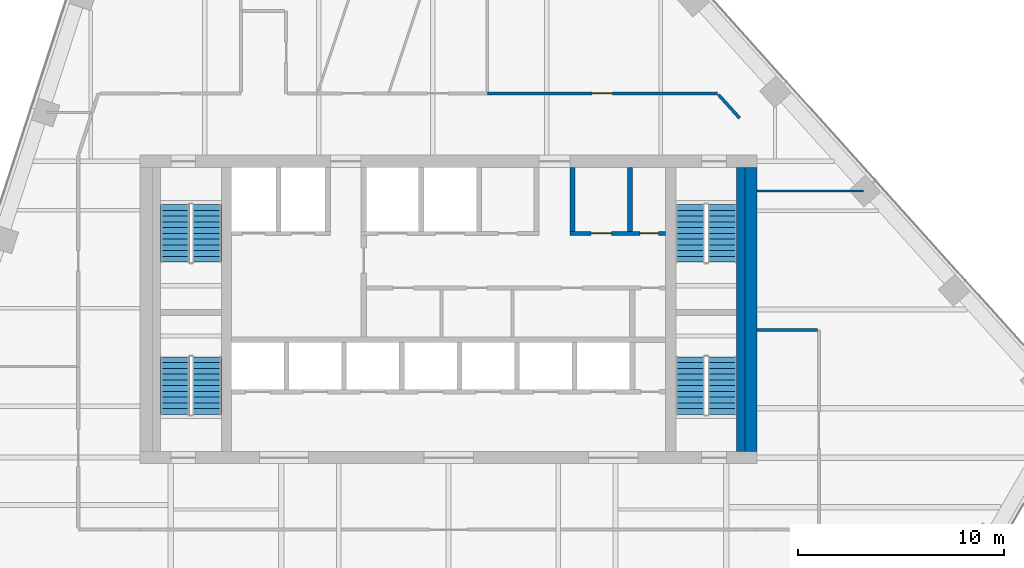
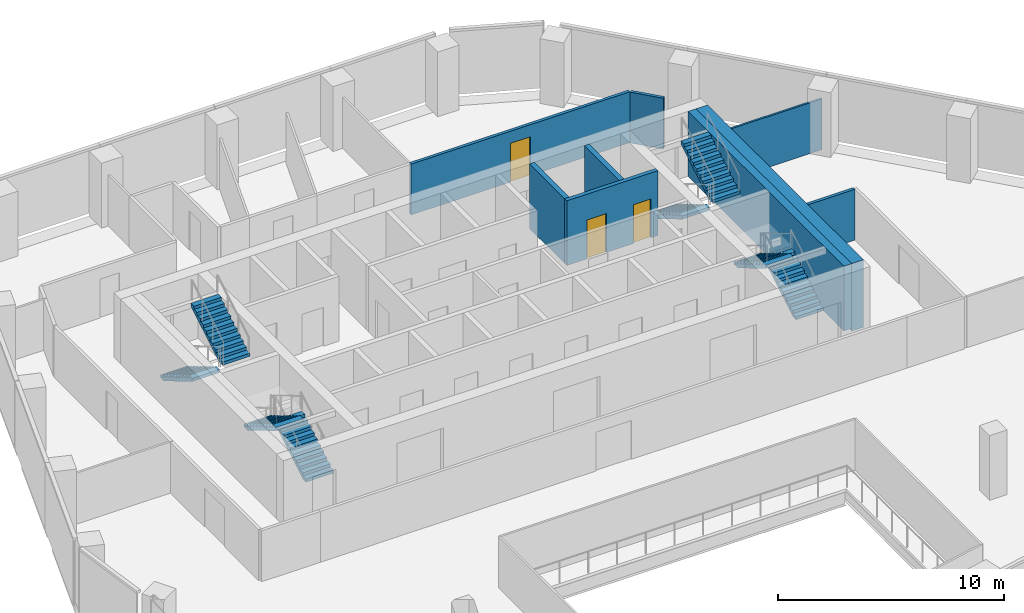
# One storey, part 11 of 15: 9 walls, 8 stair flights, 3 doors, 3 openings, 4 elements without a shape of their own.
"""IFC4 building model written with IfcOpenShell, lengths in metres."""

import ifcopenshell
import ifcopenshell.guid

model = None  # the IFC model being written
_history = None  # IfcOwnerHistory: only IFC2X3 demands one
_inside = {}  # id of a spatial element -> (the spatial element, [elements in it])
_under = {}  # id of a project, library or spatial element -> (it, [spatial elements below it])
_declared = {}  # id of a project -> (the project, [libraries it declares])
_typed = {}  # id of a type object -> (the type object, [elements of that type])
_made_of = {}  # id of a material, layer set ... -> (it, [elements and type objects made of it])


def new_model(schema):
    """Start an empty IFC model of exactly this schema.

    Asked for "IFC4X3", IfcOpenShell would pick the latest addendum, in which some entities
    have other attributes; the version numbers below select the first issue.
    IFC2X3 requires an IfcOwnerHistory on every rooted entity: one is made here for all.
    """
    global model, _history
    if schema == "IFC4X3":
        model = ifcopenshell.file(schema_version=(4, 3, 0, 0))
    else:
        model = ifcopenshell.file(schema=schema)
    _inside.clear()
    _under.clear()
    _declared.clear()
    _typed.clear()
    _made_of.clear()
    _history = None
    if model.schema == "IFC2X3":
        org = make("IfcOrganization", Name="unknown")
        user = make(
            "IfcPersonAndOrganization",
            ThePerson=make("IfcPerson", FamilyName="unknown"),
            TheOrganization=org,
        )
        app = make(
            "IfcApplication",
            ApplicationDeveloper=org,
            Version="unknown",
            ApplicationFullName="unknown",
            ApplicationIdentifier="unknown",
        )
        _history = make(
            "IfcOwnerHistory",
            OwningUser=user,
            OwningApplication=app,
            ChangeAction="ADDED",
            CreationDate=0,
        )
    return model


def make(cls, **values):
    """One entity of the class cls with the attributes given. An attribute that is None is left unset."""
    return model.create_entity(
        cls, **{name: value for name, value in values.items() if value is not None}
    )


def rooted(cls, **values):
    """An entity with a GlobalId (a new one), such as an element, a storey or a relation."""
    return make(cls, GlobalId=ifcopenshell.guid.new(), OwnerHistory=_history, **values)


def si_unit(unit_type, name, prefix=None):
    """IfcSIUnit, for example si_unit("LENGTHUNIT", "METRE", prefix="MILLI")."""
    return make("IfcSIUnit", UnitType=unit_type, Prefix=prefix, Name=name)


def assignment(units):
    """IfcUnitAssignment: the units of a project."""
    return None if units is None else make("IfcUnitAssignment", Units=units)


def point(xyz):
    """IfcCartesianPoint."""
    return None if xyz is None else make("IfcCartesianPoint", Coordinates=xyz)


def direction(xyz):
    """IfcDirection."""
    return None if xyz is None else make("IfcDirection", DirectionRatios=xyz)


def frame(location, z_axis=None, x_axis=None):
    """IfcAxis2Placement3D, a coordinate frame: its origin and axes. An axis left out is left unset."""
    return make(
        "IfcAxis2Placement3D",
        Location=point(location),
        Axis=direction(z_axis),
        RefDirection=direction(x_axis),
    )


def frame_2d(location, x_axis=None):
    """IfcAxis2Placement2D, a coordinate frame in the plane: its origin and x axis."""
    return make(
        "IfcAxis2Placement2D", Location=point(location), RefDirection=direction(x_axis)
    )


def origin():
    """The frame at (0, 0, 0) with its axes left unset."""
    return frame((0.0, 0.0, 0.0))


def place(relative_to, where):
    """IfcLocalPlacement: puts the frame where relative to a parent placement (None: the world)."""
    return make(
        "IfcLocalPlacement", PlacementRelTo=relative_to, RelativePlacement=where
    )


def context(
    kind, dimensions, precision=None, world=None, true_north=None, identifier=None
):
    """IfcGeometricRepresentationContext, for example the 3D "Model" context."""
    return make(
        "IfcGeometricRepresentationContext",
        ContextIdentifier=identifier,
        ContextType=kind,
        CoordinateSpaceDimension=dimensions,
        Precision=precision,
        WorldCoordinateSystem=world,
        TrueNorth=true_north,
    )


def subcontext(parent, identifier, kind, view, scale=None):
    """IfcGeometricRepresentationSubContext, for example "Body" below "Model"."""
    return make(
        "IfcGeometricRepresentationSubContext",
        ContextIdentifier=identifier,
        ContextType=kind,
        ParentContext=parent,
        TargetScale=scale,
        TargetView=view,
    )


def project(units=None, contexts=None):
    """IfcProject with its units and contexts."""
    return rooted(
        "IfcProject",
        Name="project",
        RepresentationContexts=contexts,
        UnitsInContext=assignment(units),
    )


def spatial(cls, under=None, at=None, **own):
    """A site, building, storey or space (cls), placed at a placement, below another one or the project."""
    s = rooted(cls, ObjectPlacement=at, **own)
    if under is not None:
        _under.setdefault(under.id(), (under, []))[1].append(s)
    return s


def polyline(points):
    """IfcPolyline through the points."""
    return make("IfcPolyline", Points=[point(p) for p in points])


def profile(cls, at=None, kind="AREA", **sizes):
    """A parametric profile (cls). Its sizes go by their IFC names, for example OverallWidth=200.0."""
    return make(cls, ProfileType=kind, Position=at, **sizes)


def rectangle(**sizes):
    """IfcRectangleProfileDef."""
    return profile("IfcRectangleProfileDef", **sizes)


def outline(outer, holes=None, kind="AREA"):
    """IfcArbitraryClosedProfileDef: a profile drawn as a closed curve; with holes, ...WithVoids."""
    if holes is None:
        return make("IfcArbitraryClosedProfileDef", ProfileType=kind, OuterCurve=outer)
    return make(
        "IfcArbitraryProfileDefWithVoids",
        ProfileType=kind,
        OuterCurve=outer,
        InnerCurves=holes,
    )


def extrude(swept, where, along, depth):
    """IfcExtrudedAreaSolid: the profile swept, set in the frame where, extruded along a direction by depth."""
    return make(
        "IfcExtrudedAreaSolid",
        SweptArea=swept,
        Position=where,
        ExtrudedDirection=direction(along),
        Depth=depth,
    )


def shape(context_of_items, identifier, shape_type, items):
    """IfcShapeRepresentation: the items that make up one representation, for example the "Body"."""
    return make(
        "IfcShapeRepresentation",
        ContextOfItems=context_of_items,
        RepresentationIdentifier=identifier,
        RepresentationType=shape_type,
        Items=items,
    )


def material(Name=None, Category=None):
    """IfcMaterial."""
    return make("IfcMaterial", Name=Name, Category=Category)


def layer(
    of_material, thickness, ventilated=None, Name=None, Category=None, Priority=None
):
    """IfcMaterialLayer: one layer of a wall or slab, of a material (None: an air gap)."""
    return make(
        "IfcMaterialLayer",
        Material=of_material,
        LayerThickness=thickness,
        IsVentilated=ventilated,
        Name=Name,
        Category=Category,
        Priority=Priority,
    )


def layer_set(layers, Name=None):
    """IfcMaterialLayerSet."""
    return make("IfcMaterialLayerSet", MaterialLayers=layers, LayerSetName=Name)


def made_of(thing, what):
    """Note that an element or type object is made of a material, layer set ...; save() writes the relation."""
    if what is not None:
        _made_of.setdefault(what.id(), (what, []))[1].append(thing)
    return thing


def type_object(cls, material=None, **own):
    """A type object (cls), such as IfcWallType, which elements share."""
    return made_of(rooted(cls, **own), material)


def element(
    cls,
    number,
    at=None,
    inside=None,
    cuts=None,
    type_object=None,
    material=None,
    context=None,
    identifier="Body",
    shape_type=None,
    held_by="IfcProductDefinitionShape",
    body=None,
    shapes=None,
    **own,
):
    """One element of the class cls, such as IfcWall. Its Tag is "e" and its number.

    at: its placement. inside: the storey or other place that contains it. cuts: it is an
    opening in that element (IfcRelVoidsElement). A single representation is given by context,
    identifier, shape_type and body (its items); several are given by shapes. held_by: the class
    of the entity that holds the representations. save() writes the other relations.
    """
    e = rooted(cls, Tag="e%d" % number, ObjectPlacement=at, **own)
    if body is not None:
        shapes = [shape(context, identifier, shape_type, body)]
    if shapes is not None:
        e.Representation = make(held_by, Representations=shapes)
    if inside is not None:
        _inside.setdefault(inside.id(), (inside, []))[1].append(e)
    if cuts is not None:
        rooted(
            "IfcRelVoidsElement", RelatingBuildingElement=cuts, RelatedOpeningElement=e
        )
    if type_object is not None:
        _typed.setdefault(type_object.id(), (type_object, []))[1].append(e)
    return made_of(e, material)


def fill(opening, filler):
    """IfcRelFillsElement: the door or window that sits in an opening."""
    return rooted(
        "IfcRelFillsElement",
        RelatingOpeningElement=opening,
        RelatedBuildingElement=filler,
    )


def aggregate(whole, parts):
    """IfcRelAggregates: a whole, such as a stair, and the parts it consists of."""
    return rooted("IfcRelAggregates", RelatingObject=whole, RelatedObjects=parts)


def save(model, path):
    """Write the relations noted so far, then the file.

    IfcRelAggregates (storeys below a building ...), IfcRelContainedInSpatialStructure (elements
    in a storey), IfcRelDefinesByType, IfcRelAssociatesMaterial and IfcRelDeclares: one each for
    every whole, place, type object, material and project.
    """
    for whole, parts in _under.values():
        aggregate(whole, parts)
    for where, things in _inside.values():
        rooted(
            "IfcRelContainedInSpatialStructure",
            RelatedElements=things,
            RelatingStructure=where,
        )
    for kind, things in _typed.values():
        rooted("IfcRelDefinesByType", RelatedObjects=things, RelatingType=kind)
    for what, things in _made_of.values():
        rooted("IfcRelAssociatesMaterial", RelatedObjects=things, RelatingMaterial=what)
    for by, libraries in _declared.values():
        rooted("IfcRelDeclares", RelatingContext=by, RelatedDefinitions=libraries)
    model.write(path)


model = new_model("IFC4")

# Units and contexts
model_context = context("Model", 3, precision=1e-05, world=origin(), true_north=direction((0.0, 1.0)))
body_context = subcontext(model_context, "Body", "Model", "MODEL_VIEW")
ifc_project = project(units=[si_unit("LENGTHUNIT", "METRE"), si_unit("AREAUNIT", "SQUARE_METRE"), si_unit("VOLUMEUNIT", "CUBIC_METRE"), si_unit("PLANEANGLEUNIT", "RADIAN"), si_unit("MASSUNIT", "GRAM", prefix="KILO")], contexts=[model_context])

# Site, building, storey
site_placement = place(None, origin())
site = spatial("IfcSite", under=ifc_project, at=site_placement, CompositionType="ELEMENT")
building_placement = place(site_placement, origin())
building = spatial("IfcBuilding", under=site, at=building_placement, Name="Isthmus Gate Tower", CompositionType="ELEMENT")
storey_placement = place(building_placement, frame((0.0, 0.0, 223.60009765625)))
storey = spatial("IfcBuildingStorey", under=building, at=storey_placement, Name="L56", CompositionType="ELEMENT", Elevation=223.60009765625)

# Wall, opening, door
ifc_material_1 = material(Name="Gypsum board on steel studs, fire-rated", Category="steel")
ifc_layer_1 = layer(ifc_material_1, 0.14990234375)
ifc_layer_set_1 = layer_set([ifc_layer_1], Name="CORRIDOR WALL 150 60 MIN")
wall_type_1 = type_object("IfcWallType", Name="CORRIDOR WALL 150 60 MIN", PredefinedType="PARTITIONING", material=ifc_layer_set_1)
wall_1_placement = place(storey_placement, frame((1.881103515625, 18.0, 0.0), z_axis=(0.0, 0.0, 1.0), x_axis=(1.0, 0.0, 0.0)))
wall_1 = element("IfcWall", 1, at=wall_1_placement, inside=storey, type_object=wall_type_1, Name="L56 Corridor Wall 150 60 Min", PredefinedType="PARTITIONING", context=body_context, shape_type="SweptSolid", body=[
    extrude(rectangle(XDim=11.183837890625, YDim=0.14990234375, at=frame_2d((5.591796875, 0.0))), origin(), (0.0, 0.0, 1.0), 2.75048828125),
])
opening_1_placement = place(wall_1_placement, frame((5.092041015625, 0.0, 0.0)))
opening_1 = element("IfcOpeningElement", 2, at=opening_1_placement, cuts=wall_1, Name="Opening DT-T5A-02", PredefinedType="OPENING", context=body_context, shape_type="SweptSolid", body=[
    extrude(rectangle(XDim=1.0, YDim=2.10009765625, at=frame_2d((0.5, 1.050048828125))), frame((0.0, 0.0849609375, 0.0), z_axis=(0.0, -1.0, 0.0), x_axis=(1.0, 0.0, 0.0)), (0.0, 0.0, 1.0), 0.169921875),
])
ifc_material_2 = material(Name="Solid core timber door leaf, fire-rated", Category="wood")
door_type_1 = type_object("IfcDoorType", Name="FIRE DOOR ROOM 1000 X 2100 60 MIN", OperationType="SINGLE_SWING_LEFT", PredefinedType="DOOR", material=ifc_material_2)
door_1_placement = place(opening_1_placement, origin())
door_1 = element("IfcDoor", 3, at=door_1_placement, inside=storey, type_object=door_type_1, Name="L56 room door", OperationType="SINGLE_SWING_RIGHT", OverallHeight=2.10009765625, OverallWidth=1.0, PredefinedType="DOOR", context=body_context, shape_type="SweptSolid", body=[
    extrude(rectangle(XDim=1.0, YDim=2.10009765625, at=frame_2d((0.5, 1.050048828125))), frame((0.0, 0.02490234375, 0.0), z_axis=(0.0, -1.0, 0.0), x_axis=(1.0, 0.0, 0.0)), (0.0, 0.0, 1.0), 0.050048828125),
])
fill(opening_1, door_1)

# Walls
wall_2_placement = place(storey_placement, frame((13.115234375, 17.9443359375, 0.0), z_axis=(0.0, 0.0, 1.0), x_axis=(0.669270047653, -0.74301924828, 0.0)))
element("IfcWall", 4, at=wall_2_placement, inside=storey, type_object=wall_type_1, Name="L56 Corridor Wall 150 60 Min", PredefinedType="PARTITIONING", context=body_context, shape_type="SweptSolid", body=[
    extrude(rectangle(XDim=1.5458984375, YDim=0.14990234375, at=frame_2d((0.77294921875, 0.0))), origin(), (0.0, 0.0, 1.0), 2.75048828125),
])
wall_3_placement = place(storey_placement, frame((15.0, 6.5, 0.0), z_axis=(0.0, 0.0, 1.0), x_axis=(1.0, 0.0, 0.0)))
element("IfcWall", 5, at=wall_3_placement, inside=storey, type_object=wall_type_1, Name="L56 Corridor Wall 150 60 Min", PredefinedType="PARTITIONING", context=body_context, shape_type="SweptSolid", body=[
    extrude(rectangle(XDim=2.925048828125, YDim=0.14990234375, at=frame_2d((1.46240234375, 0.0))), origin(), (0.0, 0.0, 1.0), 2.75048828125),
])
ifc_material_3 = material(Name="Concrete f'c 50 MPa", Category="concrete")
ifc_layer_2 = layer(ifc_material_3, 0.60009765625)
ifc_layer_set_2 = layer_set([ifc_layer_2], Name="RC CORE WALL 600 F'C 50")
wall_type_2 = type_object("IfcWallType", Name="RC CORE WALL 600 F'C 50", PredefinedType="SOLIDWALL", material=ifc_layer_set_2)
wall_4_placement = place(storey_placement, frame((14.699951171875, 0.60009765625, -0.150146484375), z_axis=(0.0, 0.0, 1.0), x_axis=(0.0, 1.0, 0.0)))
element("IfcWall", 6, at=wall_4_placement, inside=storey, type_object=wall_type_2, Name="str-corewall-L56-E", PredefinedType="SOLIDWALL", context=body_context, shape_type="SweptSolid", body=[
    extrude(rectangle(XDim=13.7998046875, YDim=0.60009765625, at=frame_2d((6.89990234375, 0.0))), origin(), (0.0, 0.0, 1.0), 3.650146484375),
])
ifc_material_4 = material(Name="Gypsum board on steel studs, fire-rated", Category="steel")
ifc_layer_3 = layer(ifc_material_4, 0.10009765625)
ifc_layer_set_3 = layer_set([ifc_layer_3], Name="ROOM PARTITION 100 30 MIN")
wall_type_3 = type_object("IfcWallType", Name="ROOM PARTITION 100 30 MIN", PredefinedType="PARTITIONING", material=ifc_layer_set_3)
wall_5_placement = place(storey_placement, frame((15.0, 13.251953125, 0.0), z_axis=(0.0, 0.0, 1.0), x_axis=(1.0, 0.0, 0.0)))
element("IfcWall", 7, at=wall_5_placement, inside=storey, type_object=wall_type_3, Name="L56 Room Partition 100 30 Min", PredefinedType="PARTITIONING", context=body_context, shape_type="SweptSolid", body=[
    extrude(rectangle(XDim=5.166015625, YDim=0.10009765625, at=frame_2d((2.5830078125, 0.0))), origin(), (0.0, 0.0, 1.0), 2.75048828125),
])

# Wall, openings, doors
ifc_material_5 = material(Name="Fire-rated blockwork masonry, 15 MPa", Category="masonry")
ifc_layer_4 = layer(ifc_material_5, 0.199951171875)
ifc_layer_set_4 = layer_set([ifc_layer_4], Name="SHAFT FRONT WALL 200 120 MIN")
wall_type_4 = type_object("IfcWallType", Name="SHAFT FRONT WALL 200 120 MIN", PredefinedType="PARTITIONING", material=ifc_layer_set_4)
wall_6_placement = place(storey_placement, frame((5.89990234375, 11.199951171875, 0.0), z_axis=(0.0, 0.0, 1.0), x_axis=(1.0, 0.0, 0.0)))
wall_6 = element("IfcWall", 8, at=wall_6_placement, inside=storey, type_object=wall_type_4, Name="L56 SHAFT FRONT WALL 200 120 MIN", PredefinedType="PARTITIONING", context=body_context, shape_type="SweptSolid", body=[
    extrude(rectangle(XDim=4.650146484375, YDim=0.199951171875, at=frame_2d((2.3251953125, 0.0))), origin(), (0.0, 0.0, 1.0), 3.5),
])
opening_2_placement = place(wall_6_placement, frame((1.02490234375, 0.0, 0.0)))
opening_2 = element("IfcOpeningElement", 9, at=opening_2_placement, cuts=wall_6, Name="Opening DC-A18-08", PredefinedType="OPENING", context=body_context, shape_type="SweptSolid", body=[
    extrude(rectangle(XDim=1.0, YDim=2.10009765625, at=frame_2d((0.5, 1.050048828125))), frame((0.0, 0.10986328125, 0.0), z_axis=(0.0, -1.0, 0.0), x_axis=(1.0, 0.0, 0.0)), (0.0, 0.0, 1.0), 0.219970703125),
])
opening_3_placement = place(wall_6_placement, frame((3.39990234375, 0.0, 0.0)))
opening_3 = element("IfcOpeningElement", 10, at=opening_3_placement, cuts=wall_6, Name="Opening DC-A18-09", PredefinedType="OPENING", context=body_context, shape_type="SweptSolid", body=[
    extrude(rectangle(XDim=0.89990234375, YDim=2.10009765625, at=frame_2d((0.449951171875, 1.050048828125))), frame((0.0, 0.10986328125, 0.0), z_axis=(0.0, -1.0, 0.0), x_axis=(1.0, 0.0, 0.0)), (0.0, 0.0, 1.0), 0.219970703125),
])
ifc_material_6 = material(Name="Steel door leaf, fire-rated", Category="steel")
door_type_2 = type_object("IfcDoorType", Name="FIRE DOOR 1000 X 2100 60 MIN", OperationType="SINGLE_SWING_LEFT", PredefinedType="DOOR", material=ifc_material_6)
door_2_placement = place(opening_2_placement, origin())
door_2 = element("IfcDoor", 11, at=door_2_placement, inside=storey, type_object=door_type_2, Name="Pantry Door", OperationType="SINGLE_SWING_RIGHT", OverallHeight=2.10009765625, OverallWidth=1.0, PredefinedType="DOOR", context=body_context, shape_type="SweptSolid", body=[
    extrude(rectangle(XDim=1.0, YDim=2.10009765625, at=frame_2d((0.5, 1.050048828125))), frame((0.0, 0.02490234375, 0.0), z_axis=(0.0, -1.0, 0.0), x_axis=(1.0, 0.0, 0.0)), (0.0, 0.0, 1.0), 0.050048828125),
])
fill(opening_2, door_2)
ifc_material_7 = material(Name="Steel door leaf, fire-rated", Category="steel")
door_type_3 = type_object("IfcDoorType", Name="RISER FIRE DOOR 900 X 2100 90 MIN", OperationType="SINGLE_SWING_LEFT", PredefinedType="DOOR", material=ifc_material_7)
door_3_placement = place(opening_3_placement, origin())
door_3 = element("IfcDoor", 12, at=door_3_placement, inside=storey, type_object=door_type_3, Name="Riser Door", OperationType="SINGLE_SWING_LEFT", OverallHeight=2.10009765625, OverallWidth=0.89990234375, PredefinedType="DOOR", context=body_context, shape_type="SweptSolid", body=[
    extrude(rectangle(XDim=0.89990234375, YDim=2.10009765625, at=frame_2d((0.449951171875, 1.050048828125))), frame((0.0, 0.02490234375, 0.0), z_axis=(0.0, -1.0, 0.0), x_axis=(1.0, 0.0, 0.0)), (0.0, 0.0, 1.0), 0.050048828125),
])
fill(opening_3, door_3)

# Walls
ifc_material_8 = material(Name="Fire-rated blockwork masonry, 15 MPa", Category="masonry")
ifc_layer_5 = layer(ifc_material_8, 0.25)
ifc_layer_set_5 = layer_set([ifc_layer_5], Name="SHAFT WALL 250 120 MIN")
wall_type_5 = type_object("IfcWallType", Name="SHAFT WALL 250 120 MIN", PredefinedType="PARTITIONING", material=ifc_layer_set_5)
for number, where, z_axis, x_axis, name in (
    (13, (6.02490234375, 11.300048828125, 0.0), (0.0, 0.0, 1.0), (0.0, 1.0, 0.0), "L56 SHAFT WALL 250 120 MIN"),
    (14, (8.824951171875, 11.300048828125, 0.0), (0.0, 0.0, 1.0), (0.0, 1.0, 0.0), "L56 SHAFT WALL 250 120 MIN"),
):
    element("IfcWall", number, at=place(storey_placement, frame(where, z_axis=z_axis, x_axis=x_axis)), inside=storey, type_object=wall_type_5, Name=name, PredefinedType="PARTITIONING", context=body_context, shape_type="SweptSolid", body=[
        extrude(rectangle(XDim=3.099853515625, YDim=0.25, at=frame_2d((1.5498046875, 0.0))), origin(), (0.0, 0.0, 1.0), 3.5),
    ])
ifc_material_9 = material(Name="Concrete f'c 40 MPa", Category="concrete")
ifc_layer_6 = layer(ifc_material_9, 0.39990234375)
ifc_layer_set_6 = layer_set([ifc_layer_6], Name="STAIR ENCLOSURE WALL 400 180 MIN")
wall_type_6 = type_object("IfcWallType", Name="STAIR ENCLOSURE WALL 400 180 MIN", PredefinedType="SOLIDWALL", material=ifc_layer_set_6)
wall_7_placement = place(storey_placement, frame((14.199951171875, 0.60009765625, 0.0), z_axis=(0.0, 0.0, 1.0), x_axis=(0.0, 1.0, 0.0)))
element("IfcWall", 15, at=wall_7_placement, inside=storey, type_object=wall_type_6, Name="L56 STAIR ENCLOSURE WALL 400 180 MIN", PredefinedType="SOLIDWALL", context=body_context, shape_type="SweptSolid", body=[
    extrude(rectangle(XDim=13.7998046875, YDim=0.39990234375, at=frame_2d((6.89990234375, 0.0))), origin(), (0.0, 0.0, 1.0), 3.5),
])

# Stair, stair flights
ifc_material_10 = material(Name="Concrete f'c 40 MPa", Category="concrete")
stair_type = type_object("IfcStairType", Name="CORE STAIR 22 RISERS", PredefinedType="HALF_TURN_STAIR", material=ifc_material_10)
stair_1_placement = place(storey_placement, origin())
stair_1 = element("IfcStair", 16, at=stair_1_placement, inside=storey, type_object=stair_type, Name="L56 Exit Stair 1", PredefinedType="HALF_TURN_STAIR")
ifc_material_11 = material(Name="Concrete f'c 40 MPa", Category="concrete")
stair_flight_type = type_object("IfcStairFlightType", Name="STAIR FLIGHT RC 1400", PredefinedType="STRAIGHT", material=ifc_material_11)
stair_flight_1_placement = place(storey_placement, frame((-13.300048828125, 12.60009765625, 0.0), z_axis=(0.0, 0.0, 1.0), x_axis=(0.0, -1.0, 0.0)))
stair_flight_1 = element("IfcStairFlight", 17, at=stair_flight_1_placement, type_object=stair_flight_type, Name="ST1 flight 1", NumberOfRisers=11, NumberOfTreads=10, PredefinedType="STRAIGHT", RiserHeight=0.165909091, TreadLength=0.28, context=body_context, shape_type="SweptSolid", body=[
    extrude(outline(polyline([(0.0, 0.0), (0.0, 0.166015625), (0.280029296875, 0.166015625), (0.280029296875, 0.331787109375), (0.56005859375, 0.331787109375), (0.56005859375, 0.497802734375), (0.840087890625, 0.497802734375), (0.840087890625, 0.66357421875), (1.1201171875, 0.66357421875), (1.1201171875, 0.82958984375), (1.39990234375, 0.82958984375), (1.39990234375, 0.995361328125), (1.679931640625, 0.995361328125), (1.679931640625, 1.161376953125), (1.9599609375, 1.161376953125), (1.9599609375, 1.327392578125), (2.239990234375, 1.327392578125), (2.239990234375, 1.4931640625), (2.52001953125, 1.4931640625), (2.52001953125, 1.6591796875), (2.800048828125, 1.6591796875), (2.800048828125, 1.824951171875), (2.800048828125, 1.48486328125), (0.2939453125, 0.0), (0.0, 0.0)])), frame((0.0, 0.699951171875, 0.0), z_axis=(0.0, -1.0, 0.0), x_axis=(1.0, 0.0, 0.0)), (0.0, 0.0, 1.0), 1.39990234375),
])
stair_flight_2_placement = place(storey_placement, frame((-11.75, 9.800048828125, 1.824951171875), z_axis=(0.0, 0.0, 1.0), x_axis=(0.0, 1.0, 0.0)))
stair_flight_2 = element("IfcStairFlight", 18, at=stair_flight_2_placement, type_object=stair_flight_type, Name="ST1 flight 2", NumberOfRisers=11, NumberOfTreads=10, PredefinedType="STRAIGHT", RiserHeight=0.165909091, TreadLength=0.28, context=body_context, shape_type="SweptSolid", body=[
    extrude(outline(polyline([(0.0, 0.0), (0.0, 0.166015625), (0.280029296875, 0.166015625), (0.280029296875, 0.331787109375), (0.56005859375, 0.331787109375), (0.56005859375, 0.497802734375), (0.840087890625, 0.497802734375), (0.840087890625, 0.66357421875), (1.1201171875, 0.66357421875), (1.1201171875, 0.82958984375), (1.39990234375, 0.82958984375), (1.39990234375, 0.995361328125), (1.679931640625, 0.995361328125), (1.679931640625, 1.161376953125), (1.9599609375, 1.161376953125), (1.9599609375, 1.327392578125), (2.239990234375, 1.327392578125), (2.239990234375, 1.4931640625), (2.52001953125, 1.4931640625), (2.52001953125, 1.6591796875), (2.800048828125, 1.6591796875), (2.800048828125, 1.824951171875), (2.800048828125, 1.48486328125), (0.2939453125, 0.0), (0.0, 0.0)])), frame((0.0, 0.699951171875, 0.0), z_axis=(0.0, -1.0, 0.0), x_axis=(1.0, 0.0, 0.0)), (0.0, 0.0, 1.0), 1.39990234375),
])
aggregate(stair_1, [stair_flight_1, stair_flight_2])

stair_2_placement = place(storey_placement, origin())
stair_2 = element("IfcStair", 19, at=stair_2_placement, inside=storey, type_object=stair_type, Name="L56 Exit Stair 2", PredefinedType="HALF_TURN_STAIR")
stair_flight_3_placement = place(storey_placement, frame((11.75, 12.60009765625, 0.0), z_axis=(0.0, 0.0, 1.0), x_axis=(0.0, -1.0, 0.0)))
stair_flight_3 = element("IfcStairFlight", 20, at=stair_flight_3_placement, type_object=stair_flight_type, Name="ST2 flight 1", NumberOfRisers=11, NumberOfTreads=10, PredefinedType="STRAIGHT", RiserHeight=0.165909091, TreadLength=0.28, context=body_context, shape_type="SweptSolid", body=[
    extrude(outline(polyline([(0.0, 0.0), (0.0, 0.166015625), (0.280029296875, 0.166015625), (0.280029296875, 0.331787109375), (0.56005859375, 0.331787109375), (0.56005859375, 0.497802734375), (0.840087890625, 0.497802734375), (0.840087890625, 0.66357421875), (1.1201171875, 0.66357421875), (1.1201171875, 0.82958984375), (1.39990234375, 0.82958984375), (1.39990234375, 0.995361328125), (1.679931640625, 0.995361328125), (1.679931640625, 1.161376953125), (1.9599609375, 1.161376953125), (1.9599609375, 1.327392578125), (2.239990234375, 1.327392578125), (2.239990234375, 1.4931640625), (2.52001953125, 1.4931640625), (2.52001953125, 1.6591796875), (2.800048828125, 1.6591796875), (2.800048828125, 1.824951171875), (2.800048828125, 1.48486328125), (0.2939453125, 0.0), (0.0, 0.0)])), frame((0.0, 0.699951171875, 0.0), z_axis=(0.0, -1.0, 0.0), x_axis=(1.0, 0.0, 0.0)), (0.0, 0.0, 1.0), 1.39990234375),
])
stair_flight_4_placement = place(storey_placement, frame((13.300048828125, 9.800048828125, 1.824951171875), z_axis=(0.0, 0.0, 1.0), x_axis=(0.0, 1.0, 0.0)))
stair_flight_4 = element("IfcStairFlight", 21, at=stair_flight_4_placement, type_object=stair_flight_type, Name="ST2 flight 2", NumberOfRisers=11, NumberOfTreads=10, PredefinedType="STRAIGHT", RiserHeight=0.165909091, TreadLength=0.28, context=body_context, shape_type="SweptSolid", body=[
    extrude(outline(polyline([(0.0, 0.0), (0.0, 0.166015625), (0.280029296875, 0.166015625), (0.280029296875, 0.331787109375), (0.56005859375, 0.331787109375), (0.56005859375, 0.497802734375), (0.840087890625, 0.497802734375), (0.840087890625, 0.66357421875), (1.1201171875, 0.66357421875), (1.1201171875, 0.82958984375), (1.39990234375, 0.82958984375), (1.39990234375, 0.995361328125), (1.679931640625, 0.995361328125), (1.679931640625, 1.161376953125), (1.9599609375, 1.161376953125), (1.9599609375, 1.327392578125), (2.239990234375, 1.327392578125), (2.239990234375, 1.4931640625), (2.52001953125, 1.4931640625), (2.52001953125, 1.6591796875), (2.800048828125, 1.6591796875), (2.800048828125, 1.824951171875), (2.800048828125, 1.48486328125), (0.2939453125, 0.0), (0.0, 0.0)])), frame((0.0, 0.699951171875, 0.0), z_axis=(0.0, -1.0, 0.0), x_axis=(1.0, 0.0, 0.0)), (0.0, 0.0, 1.0), 1.39990234375),
])
aggregate(stair_2, [stair_flight_3, stair_flight_4])

stair_3_placement = place(storey_placement, origin())
stair_3 = element("IfcStair", 22, at=stair_3_placement, inside=storey, type_object=stair_type, Name="L56 Exit Stair 7", PredefinedType="HALF_TURN_STAIR")
stair_flight_5_placement = place(storey_placement, frame((-11.75, 2.39990234375, 0.0), z_axis=(0.0, 0.0, 1.0), x_axis=(0.0, 1.0, 0.0)))
stair_flight_5 = element("IfcStairFlight", 23, at=stair_flight_5_placement, type_object=stair_flight_type, Name="ST7 flight 1", NumberOfRisers=11, NumberOfTreads=10, PredefinedType="STRAIGHT", RiserHeight=0.165909091, TreadLength=0.28, context=body_context, shape_type="SweptSolid", body=[
    extrude(outline(polyline([(0.0, 0.0), (0.0, 0.166015625), (0.280029296875, 0.166015625), (0.280029296875, 0.331787109375), (0.56005859375, 0.331787109375), (0.56005859375, 0.497802734375), (0.840087890625, 0.497802734375), (0.840087890625, 0.66357421875), (1.1201171875, 0.66357421875), (1.1201171875, 0.82958984375), (1.39990234375, 0.82958984375), (1.39990234375, 0.995361328125), (1.679931640625, 0.995361328125), (1.679931640625, 1.161376953125), (1.9599609375, 1.161376953125), (1.9599609375, 1.327392578125), (2.239990234375, 1.327392578125), (2.239990234375, 1.4931640625), (2.52001953125, 1.4931640625), (2.52001953125, 1.6591796875), (2.800048828125, 1.6591796875), (2.800048828125, 1.824951171875), (2.800048828125, 1.48486328125), (0.2939453125, 0.0), (0.0, 0.0)])), frame((0.0, 0.699951171875, 0.0), z_axis=(0.0, -1.0, 0.0), x_axis=(1.0, 0.0, 0.0)), (0.0, 0.0, 1.0), 1.39990234375),
])
stair_flight_6_placement = place(storey_placement, frame((-13.300048828125, 5.199951171875, 1.824951171875), z_axis=(0.0, 0.0, 1.0), x_axis=(0.0, -1.0, 0.0)))
stair_flight_6 = element("IfcStairFlight", 24, at=stair_flight_6_placement, type_object=stair_flight_type, Name="ST7 flight 2", NumberOfRisers=11, NumberOfTreads=10, PredefinedType="STRAIGHT", RiserHeight=0.165909091, TreadLength=0.28, context=body_context, shape_type="SweptSolid", body=[
    extrude(outline(polyline([(0.0, 0.0), (0.0, 0.166015625), (0.280029296875, 0.166015625), (0.280029296875, 0.331787109375), (0.56005859375, 0.331787109375), (0.56005859375, 0.497802734375), (0.840087890625, 0.497802734375), (0.840087890625, 0.66357421875), (1.1201171875, 0.66357421875), (1.1201171875, 0.82958984375), (1.39990234375, 0.82958984375), (1.39990234375, 0.995361328125), (1.679931640625, 0.995361328125), (1.679931640625, 1.161376953125), (1.9599609375, 1.161376953125), (1.9599609375, 1.327392578125), (2.239990234375, 1.327392578125), (2.239990234375, 1.4931640625), (2.52001953125, 1.4931640625), (2.52001953125, 1.6591796875), (2.800048828125, 1.6591796875), (2.800048828125, 1.824951171875), (2.800048828125, 1.48486328125), (0.2939453125, 0.0), (0.0, 0.0)])), frame((0.0, 0.699951171875, 0.0), z_axis=(0.0, -1.0, 0.0), x_axis=(1.0, 0.0, 0.0)), (0.0, 0.0, 1.0), 1.39990234375),
])
aggregate(stair_3, [stair_flight_5, stair_flight_6])

stair_4_placement = place(storey_placement, origin())
stair_4 = element("IfcStair", 25, at=stair_4_placement, inside=storey, type_object=stair_type, Name="L56 Exit Stair 8", PredefinedType="HALF_TURN_STAIR")
stair_flight_7_placement = place(storey_placement, frame((13.300048828125, 2.39990234375, 0.0), z_axis=(0.0, 0.0, 1.0), x_axis=(0.0, 1.0, 0.0)))
stair_flight_7 = element("IfcStairFlight", 26, at=stair_flight_7_placement, type_object=stair_flight_type, Name="ST8 flight 1", NumberOfRisers=11, NumberOfTreads=10, PredefinedType="STRAIGHT", RiserHeight=0.165909091, TreadLength=0.28, context=body_context, shape_type="SweptSolid", body=[
    extrude(outline(polyline([(0.0, 0.0), (0.0, 0.166015625), (0.280029296875, 0.166015625), (0.280029296875, 0.331787109375), (0.56005859375, 0.331787109375), (0.56005859375, 0.497802734375), (0.840087890625, 0.497802734375), (0.840087890625, 0.66357421875), (1.1201171875, 0.66357421875), (1.1201171875, 0.82958984375), (1.39990234375, 0.82958984375), (1.39990234375, 0.995361328125), (1.679931640625, 0.995361328125), (1.679931640625, 1.161376953125), (1.9599609375, 1.161376953125), (1.9599609375, 1.327392578125), (2.239990234375, 1.327392578125), (2.239990234375, 1.4931640625), (2.52001953125, 1.4931640625), (2.52001953125, 1.6591796875), (2.800048828125, 1.6591796875), (2.800048828125, 1.824951171875), (2.800048828125, 1.48486328125), (0.2939453125, 0.0), (0.0, 0.0)])), frame((0.0, 0.699951171875, 0.0), z_axis=(0.0, -1.0, 0.0), x_axis=(1.0, 0.0, 0.0)), (0.0, 0.0, 1.0), 1.39990234375),
])
stair_flight_8_placement = place(storey_placement, frame((11.75, 5.199951171875, 1.824951171875), z_axis=(0.0, 0.0, 1.0), x_axis=(0.0, -1.0, 0.0)))
stair_flight_8 = element("IfcStairFlight", 27, at=stair_flight_8_placement, type_object=stair_flight_type, Name="ST8 flight 2", NumberOfRisers=11, NumberOfTreads=10, PredefinedType="STRAIGHT", RiserHeight=0.165909091, TreadLength=0.28, context=body_context, shape_type="SweptSolid", body=[
    extrude(outline(polyline([(0.0, 0.0), (0.0, 0.166015625), (0.280029296875, 0.166015625), (0.280029296875, 0.331787109375), (0.56005859375, 0.331787109375), (0.56005859375, 0.497802734375), (0.840087890625, 0.497802734375), (0.840087890625, 0.66357421875), (1.1201171875, 0.66357421875), (1.1201171875, 0.82958984375), (1.39990234375, 0.82958984375), (1.39990234375, 0.995361328125), (1.679931640625, 0.995361328125), (1.679931640625, 1.161376953125), (1.9599609375, 1.161376953125), (1.9599609375, 1.327392578125), (2.239990234375, 1.327392578125), (2.239990234375, 1.4931640625), (2.52001953125, 1.4931640625), (2.52001953125, 1.6591796875), (2.800048828125, 1.6591796875), (2.800048828125, 1.824951171875), (2.800048828125, 1.48486328125), (0.2939453125, 0.0), (0.0, 0.0)])), frame((0.0, 0.699951171875, 0.0), z_axis=(0.0, -1.0, 0.0), x_axis=(1.0, 0.0, 0.0)), (0.0, 0.0, 1.0), 1.39990234375),
])
aggregate(stair_4, [stair_flight_7, stair_flight_8])

save(model, "model.ifc")
